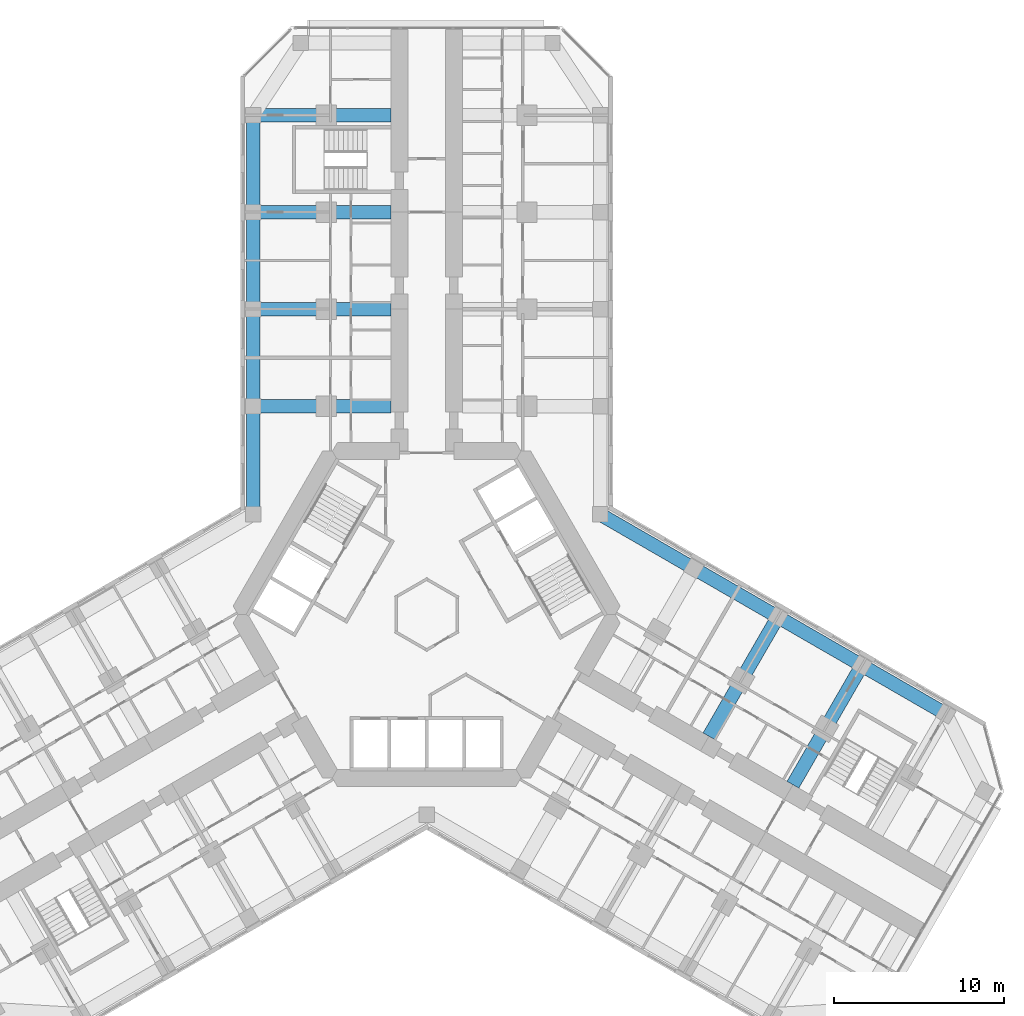
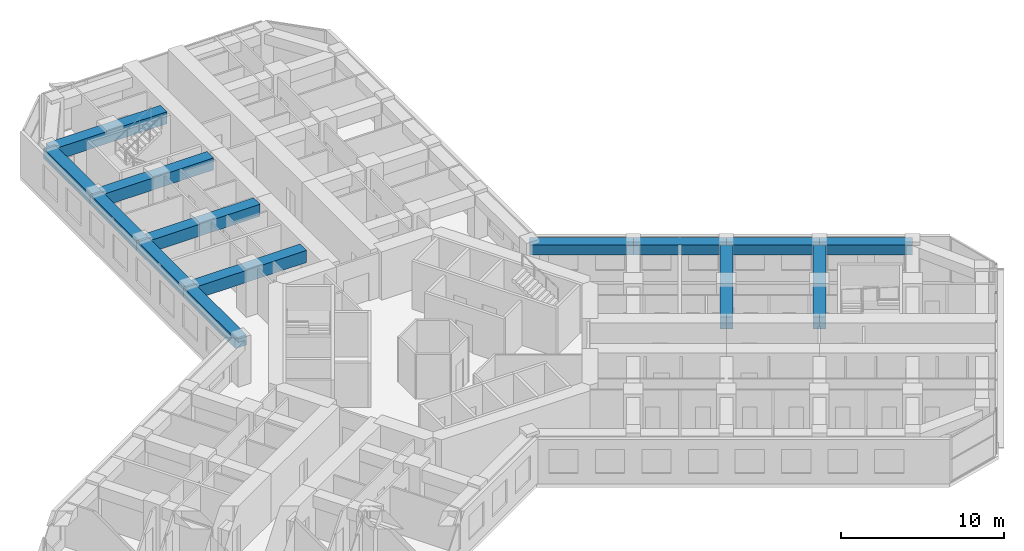
# One storey, part 6 of 22: 14 beams.
"""IFC4 building model written with IfcOpenShell, lengths in metres."""

from ifc_helpers import new_model, si_unit, direction, frame, origin, origin_2d, place, context, subcontext, project, spatial, rectangle, extrude, material, material_profile, profile_set, type_object, element, save


model = new_model("IFC4")

# Units and contexts
model_context = context("Model", 3, precision=1e-05, world=origin(), true_north=direction((0.0, 1.0)))
body_context = subcontext(model_context, "Body", "Model", "MODEL_VIEW")
ifc_project = project(units=[si_unit("LENGTHUNIT", "METRE"), si_unit("AREAUNIT", "SQUARE_METRE"), si_unit("VOLUMEUNIT", "CUBIC_METRE"), si_unit("PLANEANGLEUNIT", "RADIAN"), si_unit("MASSUNIT", "GRAM", prefix="KILO")], contexts=[model_context])

# Site, building, storey
site_placement = place(None, origin())
site = spatial("IfcSite", under=ifc_project, at=site_placement, CompositionType="ELEMENT")
building_placement = place(site_placement, origin())
building = spatial("IfcBuilding", under=site, at=building_placement, Name="Kosmar Iwan School Tower", CompositionType="ELEMENT")
storey_placement = place(building_placement, frame((0.0, 0.0, 91.60009765625)))
storey = spatial("IfcBuildingStorey", under=building, at=storey_placement, Name="L22", CompositionType="ELEMENT", Elevation=91.60009765625)

# Beams
ifc_material_1 = material(Name="Concrete C50/60", Category="concrete")
ifc_material_profile_1 = material_profile(ifc_material_1, rectangle(XDim=0.800048828125, YDim=0.75, at=origin_2d()), Name="RC 800x750")
ifc_profile_set_1 = profile_set([ifc_material_profile_1], Name="Concrete C50/60")
beam_type_1 = type_object("IfcBeamType", Name="RC edge beam 800x750", PredefinedType="BEAM", material=ifc_profile_set_1)
beam_1_placement = place(storey_placement, frame((-10.199951171875, 5.888916015625, 2.974853515625), z_axis=(0.0, 1.0, 0.0), x_axis=(-1.0, 0.0, 0.0)))
element("IfcBeam", 1, at=beam_1_placement, inside=storey, type_object=beam_type_1, Name="Edge beam AL1", PredefinedType="BEAM", context=body_context, shape_type="SweptSolid", body=[
    extrude(rectangle(XDim=0.800048828125, YDim=0.75, at=origin_2d()), origin(), (0.0, 0.0, 1.0), 6.361083984375),
])
for number, where, z_axis, x_axis, name in (
    (2, (-10.199951171875, 12.25, 2.974853515625), (0.0, 1.0, 0.0), (-1.0, 0.0, 0.0), "Edge beam AL2"),
    (3, (-10.199951171875, 17.949951171875, 2.974853515625), (0.0, 1.0, 0.0), (-1.0, 0.0, 0.0), "Edge beam AL3"),
):
    element("IfcBeam", number, at=place(storey_placement, frame(where, z_axis=z_axis, x_axis=x_axis)), inside=storey, type_object=beam_type_1, Name=name, PredefinedType="BEAM", context=body_context, shape_type="SweptSolid", body=[
        extrude(rectangle(XDim=0.800048828125, YDim=0.75, at=origin_2d()), origin(), (0.0, 0.0, 1.0), 5.699951171875),
    ])
beam_2_placement = place(storey_placement, frame((-10.199951171875, 23.64990234375, 2.974853515625), z_axis=(0.0, 1.0, 0.0), x_axis=(-1.0, 0.0, 0.0)))
element("IfcBeam", 4, at=beam_2_placement, inside=storey, type_object=beam_type_1, Name="Edge beam AL4", PredefinedType="BEAM", context=body_context, shape_type="SweptSolid", body=[
    extrude(rectangle(XDim=0.800048828125, YDim=0.75, at=origin_2d()), origin(), (0.0, 0.0, 1.0), 5.7001953125),
])
beam_3_placement = place(storey_placement, frame((10.199951171875, 5.888916015625, 2.974853515625), z_axis=(0.866030912664, -0.49999045822, 0.0), x_axis=(0.49999045822, 0.866030912664, 0.0)))
element("IfcBeam", 5, at=beam_3_placement, inside=storey, type_object=beam_type_1, Name="Edge beam CL1", PredefinedType="BEAM", context=body_context, shape_type="SweptSolid", body=[
    extrude(rectangle(XDim=0.800048828125, YDim=0.75, at=origin_2d()), origin(), (0.0, 0.0, 1.0), 6.36083984375),
])
beam_4_placement = place(storey_placement, frame((15.708740234375, 2.70849609375, 2.974853515625), z_axis=(0.866025820012, -0.499999279071, 0.0), x_axis=(0.499999279071, 0.866025820012, 0.0)))
element("IfcBeam", 6, at=beam_4_placement, inside=storey, type_object=beam_type_1, Name="Edge beam CL2", PredefinedType="BEAM", context=body_context, shape_type="SweptSolid", body=[
    extrude(rectangle(XDim=0.800048828125, YDim=0.75, at=origin_2d()), origin(), (0.0, 0.0, 1.0), 5.7001953125),
])
for number, where, z_axis, x_axis, name in (
    (7, (20.645263671875, -0.1416015625, 2.974853515625), (0.866033658841, -0.49998570155, 0.0), (0.49998570155, 0.866033658841, 0.0), "Edge beam CL3"),
    (8, (25.58154296875, -2.991455078125, 2.974853515625), (0.866015111908, -0.50001782563, 0.0), (0.50001782563, 0.866015111908, 0.0), "Edge beam CL4"),
):
    element("IfcBeam", number, at=place(storey_placement, frame(where, z_axis=z_axis, x_axis=x_axis)), inside=storey, type_object=beam_type_1, Name=name, PredefinedType="BEAM", context=body_context, shape_type="SweptSolid", body=[
        extrude(rectangle(XDim=0.800048828125, YDim=0.75, at=origin_2d()), origin(), (0.0, 0.0, 1.0), 5.699951171875),
    ])
ifc_material_2 = material(Name="Concrete C50/60", Category="concrete")
ifc_material_profile_2 = material_profile(ifc_material_2, rectangle(XDim=0.800048828125, YDim=0.89990234375, at=origin_2d()), Name="RC 800x900")
ifc_profile_set_2 = profile_set([ifc_material_profile_2], Name="Concrete C50/60")
beam_type_2 = type_object("IfcBeamType", Name="RC transverse beam 800x900", PredefinedType="BEAM", material=ifc_profile_set_2)
for number, where, z_axis, x_axis, name in (
    (9, (-10.199951171875, 12.25, 2.89990234375), (1.0, 0.0, 0.0), (0.0, 1.0, 0.0), "Transverse beam AL1"),
    (10, (-10.199951171875, 17.949951171875, 2.89990234375), (1.0, 0.0, 0.0), (0.0, 1.0, 0.0), "Transverse beam AL2"),
    (11, (-10.199951171875, 23.64990234375, 2.89990234375), (1.0, 0.0, 0.0), (0.0, 1.0, 0.0), "Transverse beam AL3"),
    (12, (-10.199951171875, 29.35009765625, 2.89990234375), (1.0, 0.0, 0.0), (0.0, 1.0, 0.0), "Transverse beam AL4"),
    (13, (20.645263671875, -0.1416015625, 2.89990234375), (-0.500012932018, -0.866017937352, 0.0), (0.866017937352, -0.500012932018, 0.0), "Transverse beam CL2"),
):
    element("IfcBeam", number, at=place(storey_placement, frame(where, z_axis=z_axis, x_axis=x_axis)), inside=storey, type_object=beam_type_2, Name=name, PredefinedType="BEAM", context=body_context, shape_type="SweptSolid", body=[
        extrude(rectangle(XDim=0.800048828125, YDim=0.89990234375, at=origin_2d()), origin(), (0.0, 0.0, 1.0), 8.099853515625),
    ])
beam_5_placement = place(storey_placement, frame((25.58154296875, -2.991455078125, 2.89990234375), z_axis=(-0.499999880539, -0.866025472755, 0.0), x_axis=(0.866025472755, -0.499999880539, 0.0)))
element("IfcBeam", 14, at=beam_5_placement, inside=storey, type_object=beam_type_2, Name="Transverse beam CL3", PredefinedType="BEAM", context=body_context, shape_type="SweptSolid", body=[
    extrude(rectangle(XDim=0.800048828125, YDim=0.89990234375, at=origin_2d()), origin(), (0.0, 0.0, 1.0), 8.10009765625),
])

save(model, "model.ifc")
